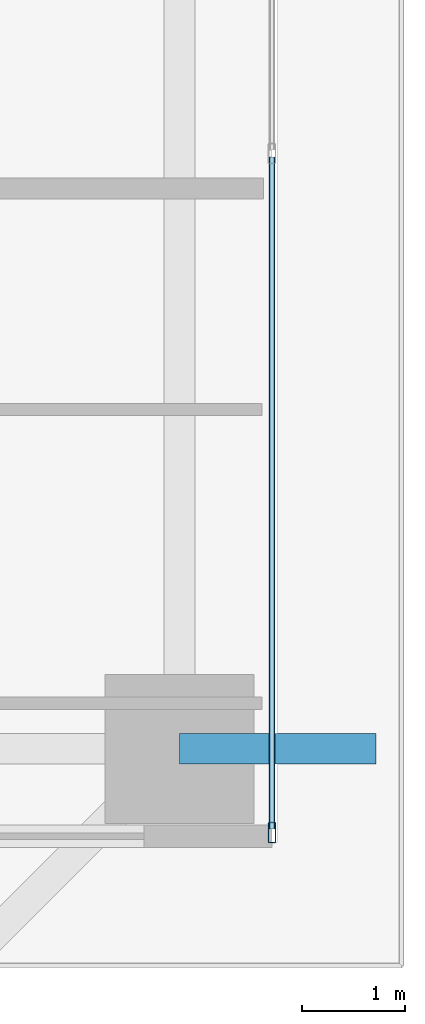
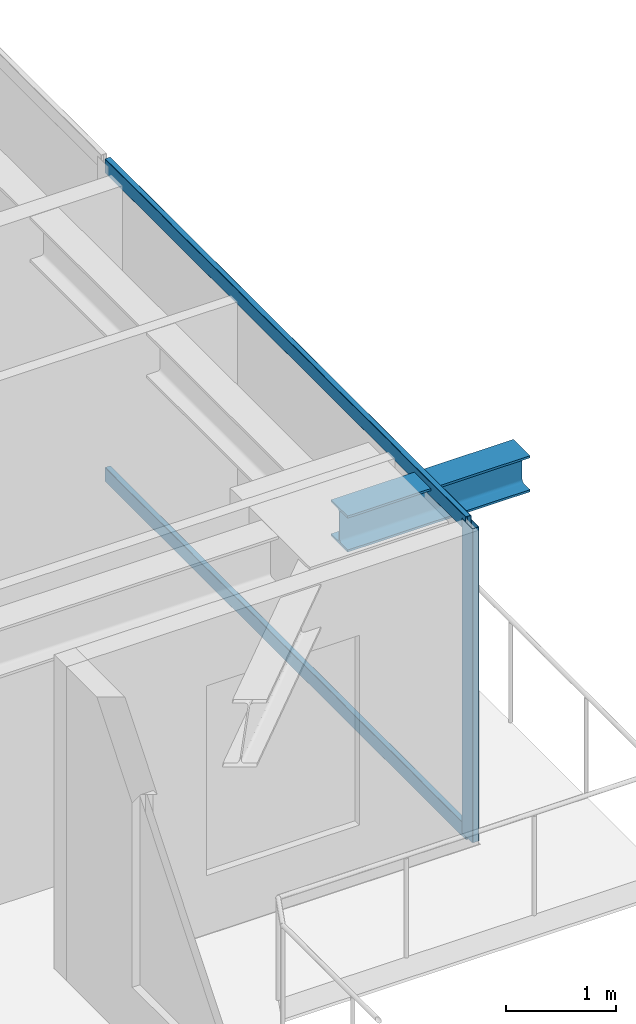
# One storey, part 12 of 35: 3 members, 1 beam, 1 element without a shape of its own.
"""IFC4 building model written with IfcOpenShell, lengths in metres."""

from ifc_helpers import new_model, si_unit, direction, frame, origin, origin_2d, place, context, subcontext, project, spatial, hollow_rectangle, i_section, extrude, source, transform, mapped, material, layer, layer_set, material_profile, profile_set, type_object, element, aggregate, save


model = new_model("IFC4")

# Units and contexts
model_context = context("Model", 3, precision=1e-05, world=origin(), true_north=direction((0.0, 1.0)))
body_context = subcontext(model_context, "Body", "Model", "MODEL_VIEW")
ifc_project = project(units=[si_unit("LENGTHUNIT", "METRE"), si_unit("AREAUNIT", "SQUARE_METRE"), si_unit("VOLUMEUNIT", "CUBIC_METRE"), si_unit("PLANEANGLEUNIT", "RADIAN"), si_unit("MASSUNIT", "GRAM", prefix="KILO")], contexts=[model_context])

# Site, building, storey
site_placement = place(None, origin())
site = spatial("IfcSite", under=ifc_project, at=site_placement, CompositionType="ELEMENT")
building_placement = place(site_placement, origin())
building = spatial("IfcBuilding", under=site, at=building_placement, Name="Serunith Strait Residences", CompositionType="ELEMENT")
storey_placement = place(building_placement, frame((0.0, 0.0, 56.699951171875)))
storey = spatial("IfcBuildingStorey", under=building, at=storey_placement, Name="L13", CompositionType="ELEMENT", Elevation=56.699951171875)

# Beam
ifc_material_1 = material(Name="Steel S355J2", Category="steel")
ifc_material_profile_1 = material_profile(ifc_material_1, i_section(OverallWidth=0.300048828125, OverallDepth=0.39990234375, WebThickness=0.013427734375, FlangeThickness=0.02392578125, FilletRadius=0.027099609375, at=origin_2d()), Name="HEB 400")
ifc_profile_set_1 = profile_set([ifc_material_profile_1], Name="Steel S355J2")
beam_type = type_object("IfcBeamType", Name="BM-HEB400", PredefinedType="BEAM", material=ifc_profile_set_1)
shared_shape_1 = source(origin(), body_context, "Body", "SweptSolid", [
    extrude(i_section(OverallWidth=0.300048828125, OverallDepth=0.39990234375, WebThickness=0.013427734375, FlangeThickness=0.02392578125, FilletRadius=0.027099609375, at=origin_2d()), origin(), (0.0, 0.0, 1.0), 1.91015625),
])
beam_placement = place(storey_placement, frame((57.89990234375, 9.449951171875, 3.257080078125), z_axis=(1.0, 0.0, 0.0), x_axis=(0.0, 1.0, 0.0)))
element("IfcBeam", 1, at=beam_placement, inside=storey, type_object=beam_type, Name="L14 Cantilevered Balcony Rib TC-E1", PredefinedType="BEAM", context=body_context, shape_type="MappedRepresentation", body=[
    mapped(shared_shape_1, transform((0.0, 0.0, 0.0), scale=1.0)),
])

# Curtain wall, members
ifc_material_2 = material(Name="Pale-Champagne Anodised Aluminium", Category="aluminium")
ifc_layer = layer(ifc_material_2, 0.199951171875, Name="Pale-Champagne Anodised Aluminium")
ifc_layer_set = layer_set([ifc_layer], Name="Pale-Champagne Anodised Aluminium")
curtain_wall_type = type_object("IfcCurtainWallType", Name="CW-SYS1", PredefinedType="NOTDEFINED", material=ifc_layer_set)
curtain_wall_placement = place(storey_placement, origin())
curtain_wall = element("IfcCurtainWall", 2, at=curtain_wall_placement, inside=storey, type_object=curtain_wall_type, Name="L13 E Unitised Fritted Curtain Wall", PredefinedType="NOTDEFINED")
ifc_material_profile_2 = material_profile(ifc_material_2, hollow_rectangle(XDim=0.070068359375, YDim=0.199951171875, WallThickness=0.00390625, InnerFilletRadius=0.006103515625, OuterFilletRadius=0.010009765625, at=origin_2d()), Name="ALU 200x70x4")
ifc_profile_set_2 = profile_set([ifc_material_profile_2], Name="Pale-Champagne Anodised Aluminium")
member_type_1 = type_object("IfcMemberType", Name="CW-SYS1-MULL", PredefinedType="MULLION", material=ifc_profile_set_2)
shared_shape_2 = source(origin(), body_context, "Body", "SweptSolid", [
    extrude(hollow_rectangle(XDim=0.070068359375, YDim=0.199951171875, WallThickness=0.00390625, InnerFilletRadius=0.006103515625, OuterFilletRadius=0.010009765625, at=origin_2d()), origin(), (0.0, 0.0, 1.0), 3.47509765625),
])
member_1_placement = place(storey_placement, frame((58.800048828125, 8.635009765625, 0.0), z_axis=(0.0, 0.0, 1.0), x_axis=(-1.0, 0.0, 0.0)))
member_1 = element("IfcMember", 3, at=member_1_placement, type_object=member_type_1, Name="CW-1 mullion 1", PredefinedType="MULLION", context=body_context, shape_type="MappedRepresentation", body=[
    mapped(shared_shape_2, transform((0.0, 0.0, 0.0), scale=1.0)),
])
ifc_material_profile_3 = material_profile(ifc_material_2, hollow_rectangle(XDim=0.06005859375, YDim=0.159912109375, WallThickness=0.00341796875, InnerFilletRadius=0.00537109375, OuterFilletRadius=0.0087890625, at=origin_2d()), Name="ALU 160x60x3.5")
ifc_profile_set_3 = profile_set([ifc_material_profile_3], Name="Pale-Champagne Anodised Aluminium")
member_type_2 = type_object("IfcMemberType", Name="CW-SYS1-TRAN", PredefinedType="USERDEFINED", material=ifc_profile_set_3)
shared_shape_3 = source(origin(), body_context, "Body", "SweptSolid", [
    extrude(hollow_rectangle(XDim=0.06005859375, YDim=0.159912109375, WallThickness=0.00341796875, InnerFilletRadius=0.00537109375, OuterFilletRadius=0.0087890625, at=origin_2d()), origin(), (0.0, 0.0, 1.0), 6.53515625),
])
member_2_placement = place(storey_placement, frame((58.800048828125, 8.669921875, 0.030029296875), z_axis=(0.0, 1.0, 0.0), x_axis=(-1.0, 0.0, 0.0)))
member_2 = element("IfcMember", 4, at=member_2_placement, type_object=member_type_2, Name="CW-1 transom 1.1", ObjectType="TRANSOM", PredefinedType="USERDEFINED", context=body_context, shape_type="MappedRepresentation", body=[
    mapped(shared_shape_3, transform((0.0, 0.0, 0.0), scale=1.0)),
])
member_3_placement = place(storey_placement, frame((58.800048828125, 8.669921875, 3.445068359375), z_axis=(0.0, 1.0, 0.0), x_axis=(-1.0, 0.0, 0.0)))
member_3 = element("IfcMember", 5, at=member_3_placement, type_object=member_type_2, Name="CW-1 transom 1.2", ObjectType="TRANSOM", PredefinedType="USERDEFINED", context=body_context, shape_type="MappedRepresentation", body=[
    mapped(shared_shape_3, transform((0.0, 0.0, 0.0), scale=1.0)),
])
aggregate(curtain_wall, [member_1, member_2, member_3])

save(model, "model.ifc")
